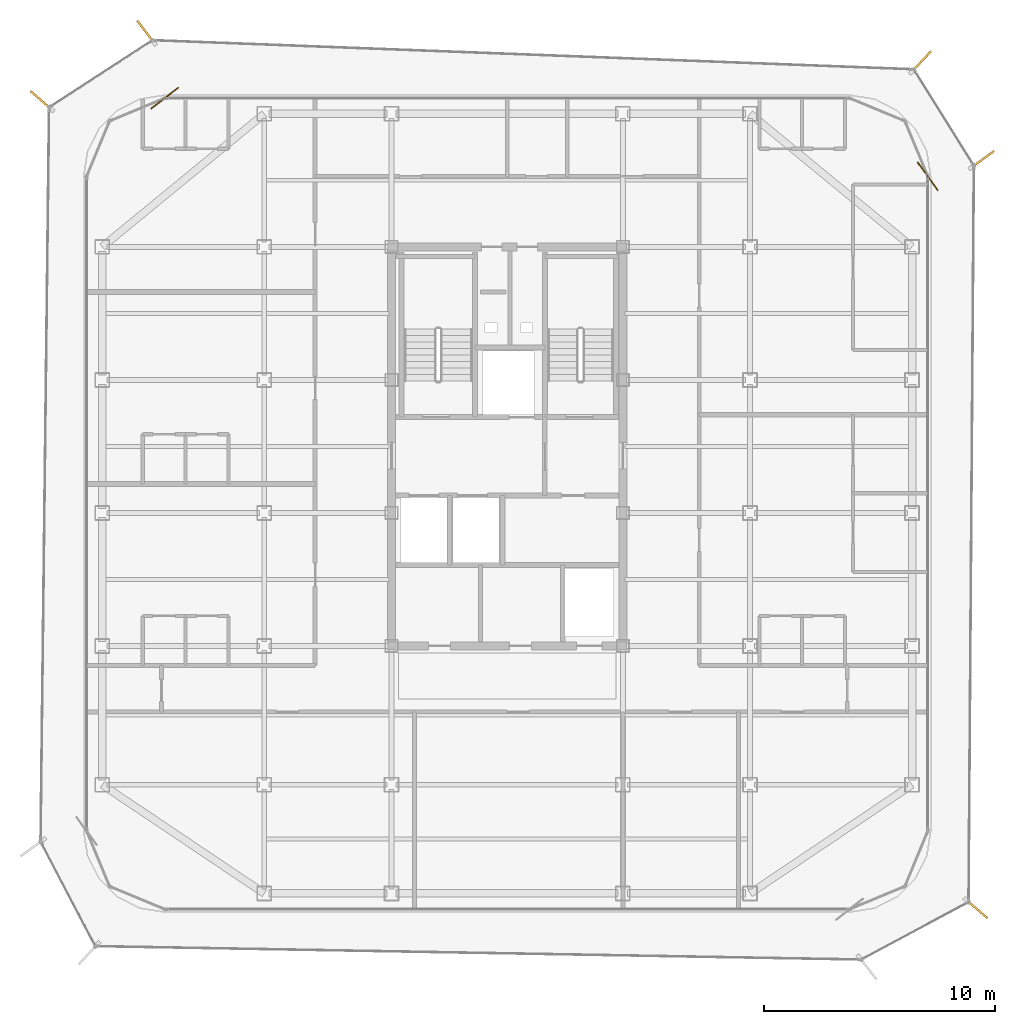
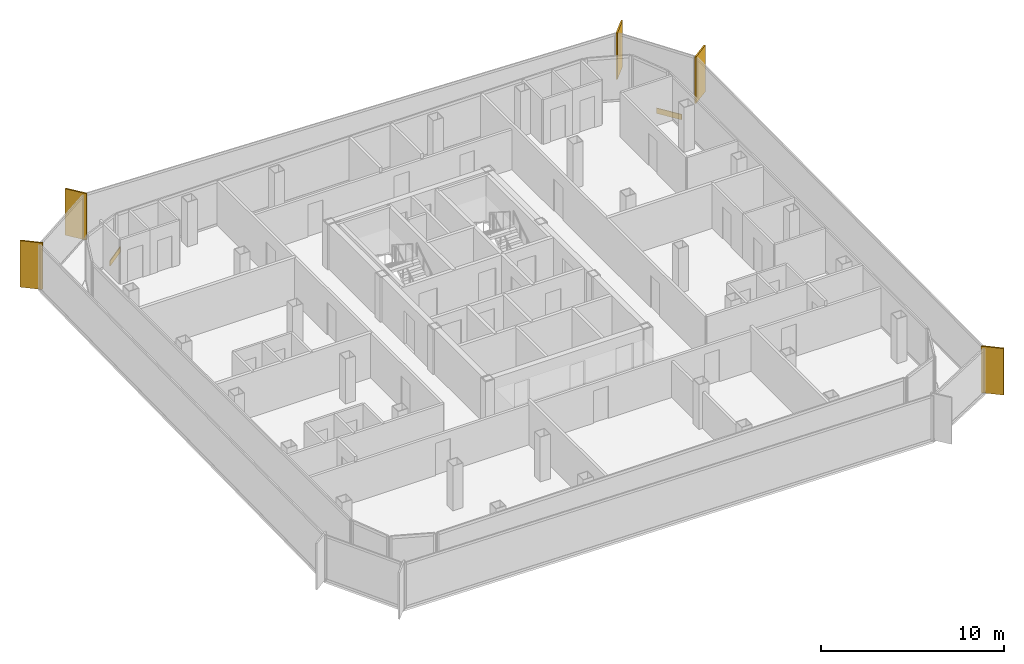
# One storey, part 15 of 15: 5 shading devices, 2 coverings.
"""IFC4 building model written with IfcOpenShell, lengths in metres."""

from ifc_helpers import new_model, si_unit, direction, frame, origin, origin_2d, place, context, subcontext, project, spatial, rectangle, extrude, source, transform, mapped, material, layer, layer_set, type_object, element, save


model = new_model("IFC4")

# Units and contexts
model_context = context("Model", 3, precision=1e-05, world=origin(), true_north=direction((0.0, 1.0)))
body_context = subcontext(model_context, "Body", "Model", "MODEL_VIEW")
ifc_project = project(units=[si_unit("LENGTHUNIT", "METRE"), si_unit("AREAUNIT", "SQUARE_METRE"), si_unit("VOLUMEUNIT", "CUBIC_METRE"), si_unit("PLANEANGLEUNIT", "RADIAN"), si_unit("MASSUNIT", "GRAM", prefix="KILO")], contexts=[model_context])

# Site, building, storey
site_placement = place(None, origin())
site = spatial("IfcSite", under=ifc_project, at=site_placement, CompositionType="ELEMENT")
building_placement = place(site_placement, origin())
building = spatial("IfcBuilding", under=site, at=building_placement, Name="Kolveth Station Tower", CompositionType="ELEMENT")
storey_placement = place(building_placement, frame((0.0, 0.0, 229.699951171875)))
storey = spatial("IfcBuildingStorey", under=building, at=storey_placement, Name="L65", CompositionType="ELEMENT", Elevation=229.699951171875)

# Shading devices
ifc_material_1 = material(Name="Black anodized aluminium 6063-T6", Category="aluminium")
shading_device_type = type_object("IfcShadingDeviceType", Name="FIN_VF1", PredefinedType="USERDEFINED", material=ifc_material_1)
shared_shape_1 = source(origin(), body_context, "Body", "SweptSolid", [
    extrude(rectangle(XDim=1.25, YDim=0.090087890625, at=origin_2d()), origin(), (0.0, 0.0, 1.0), 3.10009765625),
])
for number, where, z_axis, x_axis, name in (
    (1, (43.7919921875, 0.135009765625, 0.0), (0.0, 0.0, 1.0), (0.756995055652, -0.65342060399, 0.0), "L65 Dark-Aluminium Solar Fin 2"),
    (2, (44.0439453125, 32.527099609375, 0.0), (0.0, 0.0, 1.0), (0.809939286826, 0.586513726741, 0.0), "L65 Dark-Aluminium Solar Fin 3"),
    (3, (41.39111328125, 36.7451171875, 0.0), (0.0, 0.0, 1.0), (0.683783356562, 0.729685083642, 0.0), "L65 Dark-Aluminium Solar Fin 4"),
    (4, (7.886962890625, 38.031982421875, 0.0), (0.0, 0.0, 1.0), (-0.608068865901, 0.793884282702, 0.0), "L65 Dark-Aluminium Solar Fin 5"),
    (5, (3.364990234375, 35.075927734375, 0.0), (0.0, 0.0, 1.0), (-0.756081970773, 0.6544769312, 0.0), "L65 Dark-Aluminium Solar Fin 6"),
):
    element("IfcShadingDevice", number, at=place(storey_placement, frame(where, z_axis=z_axis, x_axis=x_axis)), inside=storey, type_object=shading_device_type, Name=name, ObjectType="FIN", PredefinedType="USERDEFINED", context=body_context, shape_type="MappedRepresentation", body=[
        mapped(shared_shape_1, transform((0.0, 0.0, 0.0), x_axis=(1.0, 0.0, 0.0), y_axis=(0.0, 1.0, 0.0), z_axis=(0.0, 0.0, 1.0), scale=1.0)),
    ])

# Coverings
ifc_material_2 = material(Name="Charcoal anodized aluminium spandrel cladding", Category="aluminium")
ifc_layer = layer(ifc_material_2, 0.044921875)
ifc_layer_set = layer_set([ifc_layer], Name="Charcoal anodized aluminium spandrel cladding")
covering_type = type_object("IfcCoveringType", Name="Clad_CD1", PredefinedType="CLADDING", material=ifc_layer_set)
shared_shape_2 = source(origin(), body_context, "Body", "SweptSolid", [
    extrude(rectangle(XDim=1.5, YDim=0.044921875, at=origin_2d()), origin(), (0.0, 0.0, 1.0), 0.360107421875),
])
for number, where, z_axis, x_axis, name in (
    (6, (41.679931640625, 31.800048828125, 0.0), (0.0, 0.0, 1.0), (-0.586513726741, 0.809939286826, 0.0), "L65 Spandrel Edge Cladding 3"),
    (7, (8.699951171875, 35.179931640625, 0.0), (0.0, 0.0, 1.0), (-0.793884282702, -0.608068865901, 0.0), "L65 Spandrel Edge Cladding 5"),
):
    element("IfcCovering", number, at=place(storey_placement, frame(where, z_axis=z_axis, x_axis=x_axis)), inside=storey, type_object=covering_type, Name=name, PredefinedType="CLADDING", context=body_context, shape_type="MappedRepresentation", body=[
        mapped(shared_shape_2, transform((0.0, 0.0, 0.0), x_axis=(1.0, 0.0, 0.0), y_axis=(0.0, 1.0, 0.0), z_axis=(0.0, 0.0, 1.0), scale=1.0)),
    ])

save(model, "model.ifc")
